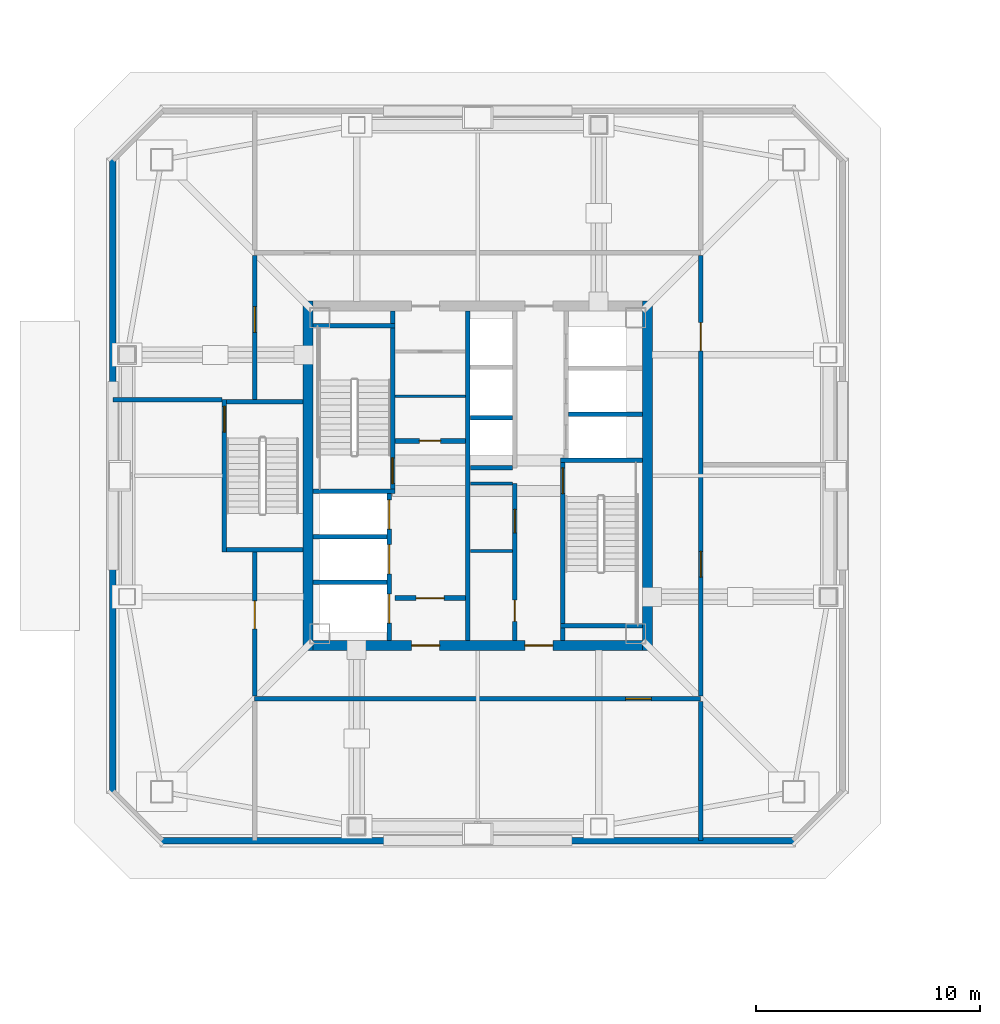
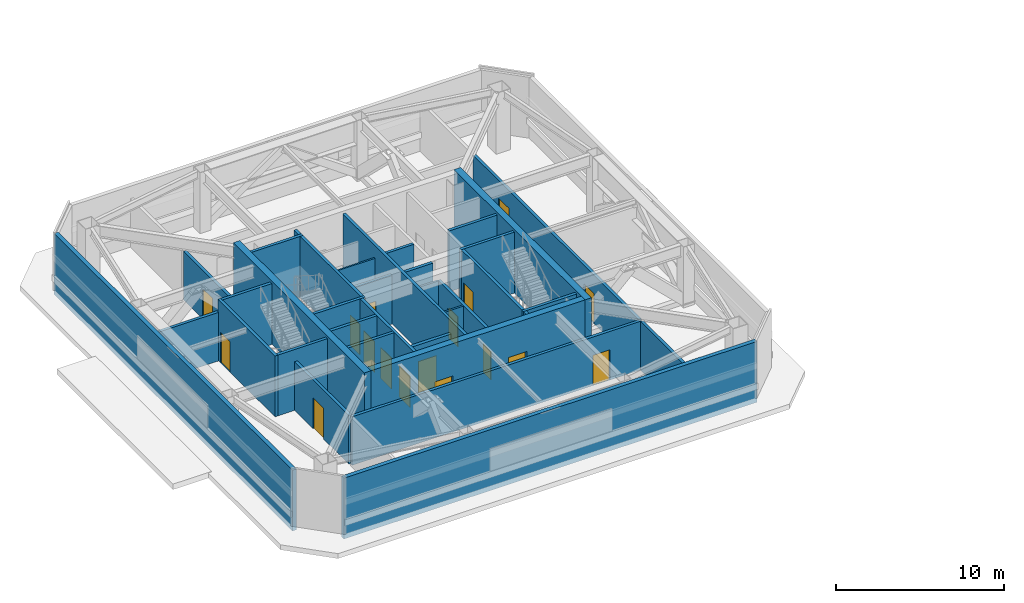
# One storey, part 5 of 15: 33 walls, 17 doors, 17 openings.
"""IFC4 building model written with IfcOpenShell, lengths in metres."""

from ifc_helpers import new_model, si_unit, direction, frame, frame_2d, origin, place, context, subcontext, project, spatial, rectangle, extrude, material, layer, layer_set, type_object, element, fill, save


model = new_model("IFC4")

# Units and contexts
model_context = context("Model", 3, precision=1e-05, world=origin(), true_north=direction((0.0, 1.0)))
body_context = subcontext(model_context, "Body", "Model", "MODEL_VIEW")
ifc_project = project(units=[si_unit("LENGTHUNIT", "METRE"), si_unit("AREAUNIT", "SQUARE_METRE"), si_unit("VOLUMEUNIT", "CUBIC_METRE"), si_unit("PLANEANGLEUNIT", "RADIAN"), si_unit("MASSUNIT", "GRAM", prefix="KILO")], contexts=[model_context])

# Site, building, storey
site_placement = place(None, origin())
site = spatial("IfcSite", under=ifc_project, at=site_placement, CompositionType="ELEMENT")
building_placement = place(site_placement, origin())
building = spatial("IfcBuilding", under=site, at=building_placement, Name="Tashvorn Skyway Center", CompositionType="ELEMENT")
storey_placement = place(building_placement, frame((0.0, 0.0, 199.60009765625)))
storey = spatial("IfcBuildingStorey", under=building, at=storey_placement, Name="L54", CompositionType="ELEMENT", Elevation=199.60009765625)

# Walls
ifc_material_1 = material(Name="Concrete C50/60", Category="concrete")
ifc_layer_1 = layer(ifc_material_1, 0.449951171875)
ifc_layer_set_1 = layer_set([ifc_layer_1], Name="Concrete C50/60")
wall_type_1 = type_object("IfcWallType", Name="WALL-CORE-450", PredefinedType="SHEAR", material=ifc_layer_set_1)
for number, where, z_axis, x_axis, name in (
    (1, (34.425048828125, 24.199951171875, 0.0), (0.0, 0.0, 1.0), (0.0, 1.0, 0.0), "Tower 1 L54 West Core Shear Wall"),
    (2, (49.574951171875, 39.800048828125, 0.0), (0.0, 0.0, 1.0), (0.0, -1.0, 0.0), "Tower 1 L54 East Core Shear Wall"),
):
    element("IfcWall", number, at=place(storey_placement, frame(where, z_axis=z_axis, x_axis=x_axis)), inside=storey, type_object=wall_type_1, Name=name, PredefinedType="SHEAR", context=body_context, shape_type="SweptSolid", body=[
        extrude(rectangle(XDim=15.60009765625, YDim=0.449951171875, at=frame_2d((7.800048828125, 0.0))), origin(), (0.0, 0.0, 1.0), 4.599853515625),
    ])

# Wall, openings, doors
wall_1_placement = place(storey_placement, frame((49.35009765625, 24.425048828125, 0.0), z_axis=(0.0, 0.0, 1.0), x_axis=(-1.0, 0.0, 0.0)))
wall_1 = element("IfcWall", 3, at=wall_1_placement, inside=storey, type_object=wall_type_1, Name="Tower 1 L54 South Core Shear Wall", PredefinedType="SHEAR", context=body_context, shape_type="SweptSolid", body=[
    extrude(rectangle(XDim=14.7001953125, YDim=0.449951171875, at=frame_2d((7.35009765625, 0.0))), origin(), (0.0, 0.0, 1.0), 4.599853515625),
])
opening_1_placement = place(wall_1_placement, frame((9.050048828125, 0.0, 0.0)))
opening_1 = element("IfcOpeningElement", 4, at=opening_1_placement, cuts=wall_1, Name="Opening D-FFL-1250", PredefinedType="OPENING", context=body_context, shape_type="SweptSolid", body=[
    extrude(rectangle(XDim=1.25, YDim=2.25, at=frame_2d((0.625, 1.125))), frame((0.0, 0.23486328125, 0.0), z_axis=(0.0, -1.0, 0.0), x_axis=(1.0, 0.0, 0.0)), (0.0, 0.0, 1.0), 0.469970703125),
])
opening_2_placement = place(wall_1_placement, frame((4.0, 0.0, 0.0)))
opening_2 = element("IfcOpeningElement", 5, at=opening_2_placement, cuts=wall_1, Name="Opening D-FFL-1250", PredefinedType="OPENING", context=body_context, shape_type="SweptSolid", body=[
    extrude(rectangle(XDim=1.25, YDim=2.25, at=frame_2d((0.625, 1.125))), frame((0.0, 0.23486328125, 0.0), z_axis=(0.0, -1.0, 0.0), x_axis=(1.0, 0.0, 0.0)), (0.0, 0.0, 1.0), 0.469970703125),
])
ifc_material_2 = material(Name="Hollow galvanized steel fire door assembly", Category="steel")
door_type_1 = type_object("IfcDoorType", Name="DOOR-FFL-1250", OperationType="NOTDEFINED", PredefinedType="DOOR", material=ifc_material_2)
door_1_placement = place(opening_1_placement, origin())
door_1 = element("IfcDoor", 6, at=door_1_placement, inside=storey, type_object=door_type_1, Name="Tower 1 L54 Core South Firefighting Exit Door", OperationType="SINGLE_SWING_LEFT", OverallHeight=2.25, OverallWidth=1.25, PredefinedType="DOOR", context=body_context, shape_type="SweptSolid", body=[
    extrude(rectangle(XDim=1.25, YDim=2.25, at=frame_2d((0.625, 1.125))), frame((0.0, 0.02490234375, 0.0), z_axis=(0.0, -1.0, 0.0), x_axis=(1.0, 0.0, 0.0)), (0.0, 0.0, 1.0), 0.050048828125),
])
fill(opening_1, door_1)
door_2_placement = place(opening_2_placement, origin())
door_2 = element("IfcDoor", 7, at=door_2_placement, inside=storey, type_object=door_type_1, Name="Tower 1 L54 Core South Lift Lobby Door", OperationType="SINGLE_SWING_RIGHT", OverallHeight=2.25, OverallWidth=1.25, PredefinedType="DOOR", context=body_context, shape_type="SweptSolid", body=[
    extrude(rectangle(XDim=1.25, YDim=2.25, at=frame_2d((0.625, 1.125))), frame((0.0, 0.02490234375, 0.0), z_axis=(0.0, -1.0, 0.0), x_axis=(1.0, 0.0, 0.0)), (0.0, 0.0, 1.0), 0.050048828125),
])
fill(opening_2, door_2)

# Walls
ifc_material_3 = material(Name="Precast concrete C40/50", Category="concrete")
ifc_layer_2 = layer(ifc_material_3, 0.280029296875)
ifc_layer_set_2 = layer_set([ifc_layer_2], Name="Precast concrete C40/50")
wall_type_2 = type_object("IfcWallType", Name="WALL-EXT-280", PredefinedType="SOLIDWALL", material=ifc_layer_set_2)
for number, where, z_axis, x_axis, name in (
    (8, (56.179931640625, 15.719970703125, 0.0), (0.0, 0.0, 1.0), (-1.0, 0.0, 0.0), "Tower 1 L54 South Mechanical Belt Wall"),
    (9, (25.719970703125, 17.820068359375, 0.0), (0.0, 0.0, 1.0), (0.0, 1.0, 0.0), "Tower 1 L54 West Mechanical Belt Wall"),
):
    element("IfcWall", number, at=place(storey_placement, frame(where, z_axis=z_axis, x_axis=x_axis)), inside=storey, type_object=wall_type_2, Name=name, PredefinedType="SOLIDWALL", context=body_context, shape_type="SweptSolid", body=[
        extrude(rectangle(XDim=28.35986328125, YDim=0.280029296875, at=frame_2d((14.179931640625, 0.0))), origin(), (0.0, 0.0, 1.0), 4.419921875),
    ])

# Wall, opening, door
ifc_material_4 = material(Name="Concrete C40/50", Category="concrete")
ifc_layer_3 = layer(ifc_material_4, 0.219970703125)
ifc_layer_set_3 = layer_set([ifc_layer_3], Name="Concrete C40/50")
wall_type_3 = type_object("IfcWallType", Name="WALL-FFL-220", PredefinedType="SOLIDWALL", material=ifc_layer_set_3)
wall_2_placement = place(storey_placement, frame((38.300048828125, 33.56005859375, 0.0), z_axis=(0.0, 0.0, 1.0), x_axis=(1.0, 0.0, 0.0)))
wall_2 = element("IfcWall", 10, at=wall_2_placement, inside=storey, type_object=wall_type_3, Name="Tower 1 L54 Firefighting Lobby North Wall", PredefinedType="SOLIDWALL", context=body_context, shape_type="SweptSolid", body=[
    extrude(rectangle(XDim=3.14990234375, YDim=0.219970703125, at=frame_2d((1.574951171875, 0.0))), origin(), (0.0, 0.0, 1.0), 3.531005859375),
])
opening_3_placement = place(wall_2_placement, frame((1.10009765625, 0.0, 0.0)))
opening_3 = element("IfcOpeningElement", 11, at=opening_3_placement, cuts=wall_2, Name="Opening D-RT-950", PredefinedType="OPENING", context=body_context, shape_type="SweptSolid", body=[
    extrude(rectangle(XDim=0.949951171875, YDim=2.050048828125, at=frame_2d((0.47509765625, 1.02490234375))), frame((0.0, 0.119873046875, 0.0), z_axis=(0.0, -1.0, 0.0), x_axis=(1.0, 0.0, 0.0)), (0.0, 0.0, 1.0), 0.239990234375),
])
door_type_2 = type_object("IfcDoorType", Name="DOOR-RATED-950", OperationType="NOTDEFINED", PredefinedType="DOOR", material=ifc_material_2)
door_3_placement = place(opening_3_placement, origin())
door_3 = element("IfcDoor", 12, at=door_3_placement, inside=storey, type_object=door_type_2, Name="Tower 1 L54 Core Linen Store Door", OperationType="SINGLE_SWING_LEFT", OverallHeight=2.050048828125, OverallWidth=0.949951171875, PredefinedType="DOOR", context=body_context, shape_type="SweptSolid", body=[
    extrude(rectangle(XDim=0.949951171875, YDim=2.050048828125, at=frame_2d((0.47509765625, 1.02490234375))), frame((0.0, 0.02490234375, 0.0), z_axis=(0.0, -1.0, 0.0), x_axis=(1.0, 0.0, 0.0)), (0.0, 0.0, 1.0), 0.050048828125),
])
fill(opening_3, door_3)

wall_3_placement = place(storey_placement, frame((38.300048828125, 26.5400390625, 0.0), z_axis=(0.0, 0.0, 1.0), x_axis=(1.0, 0.0, 0.0)))
wall_3 = element("IfcWall", 13, at=wall_3_placement, inside=storey, type_object=wall_type_3, Name="Tower 1 L54 Firefighting Lobby South Wall", PredefinedType="SOLIDWALL", context=body_context, shape_type="SweptSolid", body=[
    extrude(rectangle(XDim=3.14990234375, YDim=0.219970703125, at=frame_2d((1.574951171875, 0.0))), origin(), (0.0, 0.0, 1.0), 3.531005859375),
])
opening_4_placement = place(wall_3_placement, frame((0.949951171875, 0.0, 0.0)))
opening_4 = element("IfcOpeningElement", 14, at=opening_4_placement, cuts=wall_3, Name="Opening D-FFL-1250", PredefinedType="OPENING", context=body_context, shape_type="SweptSolid", body=[
    extrude(rectangle(XDim=1.25, YDim=2.25, at=frame_2d((0.625, 1.125))), frame((0.0, 0.119873046875, 0.0), z_axis=(0.0, -1.0, 0.0), x_axis=(1.0, 0.0, 0.0)), (0.0, 0.0, 1.0), 0.239990234375),
])
door_4_placement = place(opening_4_placement, origin())
door_4 = element("IfcDoor", 15, at=door_4_placement, inside=storey, type_object=door_type_1, Name="Tower 1 L54 Firefighting Lobby Egress Door", OperationType="SINGLE_SWING_LEFT", OverallHeight=2.25, OverallWidth=1.25, PredefinedType="DOOR", context=body_context, shape_type="SweptSolid", body=[
    extrude(rectangle(XDim=1.25, YDim=2.25, at=frame_2d((0.625, 1.125))), frame((0.0, 0.02490234375, 0.0), z_axis=(0.0, -1.0, 0.0), x_axis=(1.0, 0.0, 0.0)), (0.0, 0.0, 1.0), 0.050048828125),
])
fill(opening_4, door_4)

# Walls
ifc_material_5 = material(Name="Gypsum board on cold-formed steel stud framing", Category="steel")
ifc_layer_4 = layer(ifc_material_5, 0.110107421875)
ifc_layer_set_4 = layer_set([ifc_layer_4], Name="Gypsum board on cold-formed steel stud framing")
wall_type_4 = type_object("IfcWallType", Name="WALL-RATED-110", PredefinedType="PARTITIONING", material=ifc_layer_set_4)
wall_4_placement = place(storey_placement, frame((38.300048828125, 35.550048828125, 0.0), z_axis=(0.0, 0.0, 1.0), x_axis=(1.0, 0.0, 0.0)))
element("IfcWall", 16, at=wall_4_placement, inside=storey, type_object=wall_type_4, Name="Tower 1 L54 Core Transverse Wall", PredefinedType="PARTITIONING", context=body_context, shape_type="SweptSolid", body=[
    extrude(rectangle(XDim=3.14990234375, YDim=0.110107421875, at=frame_2d((1.574951171875, 0.0))), origin(), (0.0, 0.0, 1.0), 3.531005859375),
])
ifc_layer_5 = layer(ifc_material_5, 0.135009765625)
ifc_layer_set_5 = layer_set([ifc_layer_5], Name="Gypsum board on cold-formed steel stud framing")
wall_type_5 = type_object("IfcWallType", Name="WALL-RATED-135", PredefinedType="PARTITIONING", material=ifc_layer_set_5)
for number, where, z_axis, x_axis, name in (
    (17, (41.669921875, 31.64990234375, 0.0), (0.0, 0.0, 1.0), (1.0, 0.0, 0.0), "Tower 1 L54 Core Room Partition"),
    (18, (41.669921875, 28.64990234375, 0.0), (0.0, 0.0, 1.0), (1.0, 0.0, 0.0), "Tower 1 L54 Freed Core Partition"),
):
    element("IfcWall", number, at=place(storey_placement, frame(where, z_axis=z_axis, x_axis=x_axis)), inside=storey, type_object=wall_type_5, Name=name, PredefinedType="PARTITIONING", context=body_context, shape_type="SweptSolid", body=[
        extrude(rectangle(XDim=1.880126953125, YDim=0.135009765625, at=frame_2d((0.93994140625, 0.0))), origin(), (0.0, 0.0, 1.0), 3.531005859375),
    ])
ifc_layer_6 = layer(ifc_material_4, 0.199951171875)
ifc_layer_set_6 = layer_set([ifc_layer_6], Name="Concrete C40/50")
wall_type_6 = type_object("IfcWallType", Name="WALL-SHAFT-200", PredefinedType="SOLIDWALL", material=ifc_layer_set_6)
for number, where, z_axis, x_axis, name in (
    (19, (34.64990234375, 27.25, 0.0), (0.0, 0.0, 1.0), (1.0, 0.0, 0.0), "Tower 1 L54 FSAE Shaft Divider"),
    (20, (34.64990234375, 29.280029296875, 0.0), (0.0, 0.0, 1.0), (1.0, 0.0, 0.0), "Tower 1 L54 FSAE Shaft Divider"),
    (21, (46.050048828125, 34.75, 0.0), (0.0, 0.0, 1.0), (1.0, 0.0, 0.0), "Tower 1 L54 High-Rise Shaft Divider"),
):
    element("IfcWall", number, at=place(storey_placement, frame(where, z_axis=z_axis, x_axis=x_axis)), inside=storey, type_object=wall_type_6, Name=name, PredefinedType="SOLIDWALL", context=body_context, shape_type="SweptSolid", body=[
        extrude(rectangle(XDim=3.300048828125, YDim=0.199951171875, at=frame_2d((1.64990234375, 0.0))), origin(), (0.0, 0.0, 1.0), 4.419921875),
    ])

# Wall, openings, doors
wall_5_placement = place(storey_placement, frame((43.64990234375, 24.64990234375, 0.0), z_axis=(0.0, 0.0, 1.0), x_axis=(0.0, 1.0, 0.0)))
wall_5 = element("IfcWall", 22, at=wall_5_placement, inside=storey, type_object=wall_type_6, Name="Tower 1 L54 Low-Rise Core Wall", PredefinedType="SOLIDWALL", context=body_context, shape_type="SweptSolid", body=[
    extrude(rectangle(XDim=7.0, YDim=0.199951171875, at=frame_2d((3.5, 0.0))), origin(), (0.0, 0.0, 1.0), 3.531005859375),
])
opening_5_placement = place(wall_5_placement, frame((0.85009765625, 0.0, 0.0)))
opening_5 = element("IfcOpeningElement", 23, at=opening_5_placement, cuts=wall_5, Name="Opening D-RT-950", PredefinedType="OPENING", context=body_context, shape_type="SweptSolid", body=[
    extrude(rectangle(XDim=0.949951171875, YDim=2.050048828125, at=frame_2d((0.47509765625, 1.02490234375))), frame((0.0, 0.10986328125, 0.0), z_axis=(0.0, -1.0, 0.0), x_axis=(1.0, 0.0, 0.0)), (0.0, 0.0, 1.0), 0.219970703125),
])
opening_6_placement = place(wall_5_placement, frame((4.800048828125, 0.0, 0.0)))
opening_6 = element("IfcOpeningElement", 24, at=opening_6_placement, cuts=wall_5, Name="Opening D-RT-1050", PredefinedType="OPENING", context=body_context, shape_type="SweptSolid", body=[
    extrude(rectangle(XDim=1.050048828125, YDim=2.199951171875, at=frame_2d((0.52490234375, 1.10009765625))), frame((0.0, 0.10986328125, 0.0), z_axis=(0.0, -1.0, 0.0), x_axis=(1.0, 0.0, 0.0)), (0.0, 0.0, 1.0), 0.219970703125),
])
door_type_3 = type_object("IfcDoorType", Name="DOOR-RATED-1050", OperationType="NOTDEFINED", PredefinedType="DOOR", material=ifc_material_2)
door_5_placement = place(opening_6_placement, origin())
door_5 = element("IfcDoor", 25, at=door_5_placement, inside=storey, type_object=door_type_3, Name="Tower 1 L54 Freed Core Room Door", OperationType="SINGLE_SWING_RIGHT", OverallHeight=2.199951171875, OverallWidth=1.050048828125, PredefinedType="DOOR", context=body_context, shape_type="SweptSolid", body=[
    extrude(rectangle(XDim=1.050048828125, YDim=2.199951171875, at=frame_2d((0.52490234375, 1.10009765625))), frame((0.0, 0.02490234375, 0.0), z_axis=(0.0, -1.0, 0.0), x_axis=(1.0, 0.0, 0.0)), (0.0, 0.0, 1.0), 0.050048828125),
])
fill(opening_6, door_5)
door_6_placement = place(opening_5_placement, origin())
door_6 = element("IfcDoor", 26, at=door_6_placement, inside=storey, type_object=door_type_2, Name="Tower 1 L54 Core Print Room Door", OperationType="SINGLE_SWING_LEFT", OverallHeight=2.050048828125, OverallWidth=0.949951171875, PredefinedType="DOOR", context=body_context, shape_type="SweptSolid", body=[
    extrude(rectangle(XDim=0.949951171875, YDim=2.050048828125, at=frame_2d((0.47509765625, 1.02490234375))), frame((0.0, 0.02490234375, 0.0), z_axis=(0.0, -1.0, 0.0), x_axis=(1.0, 0.0, 0.0)), (0.0, 0.0, 1.0), 0.050048828125),
])
fill(opening_5, door_6)

# Walls
for number, where, z_axis, x_axis, name in (
    (27, (41.669921875, 32.35009765625, 0.0), (0.0, 0.0, 1.0), (1.0, 0.0, 0.0), "Tower 1 L54 Mid-Rise Shaft Divider"),
    (28, (41.669921875, 34.60009765625, 0.0), (0.0, 0.0, 1.0), (1.0, 0.0, 0.0), "Tower 1 L54 Mid-Rise Shaft Divider"),
):
    element("IfcWall", number, at=place(storey_placement, frame(where, z_axis=z_axis, x_axis=x_axis)), inside=storey, type_object=wall_type_6, Name=name, PredefinedType="SOLIDWALL", context=body_context, shape_type="SweptSolid", body=[
        extrude(rectangle(XDim=1.880126953125, YDim=0.199951171875, at=frame_2d((0.93994140625, 0.0))), origin(), (0.0, 0.0, 1.0), 4.419921875),
    ])

# Wall, opening, door
wall_6_placement = place(storey_placement, frame((51.949951171875, 22.050048828125, 0.0), z_axis=(0.0, 0.0, 1.0), x_axis=(-1.0, 0.0, 0.0)))
wall_6 = element("IfcWall", 29, at=wall_6_placement, inside=storey, type_object=wall_type_6, Name="Tower 1 L54 Plant Corridor South Wall", PredefinedType="SOLIDWALL", context=body_context, shape_type="SweptSolid", body=[
    extrude(rectangle(XDim=19.89990234375, YDim=0.199951171875, at=frame_2d((9.949951171875, 0.0))), origin(), (0.0, 0.0, 1.0), 3.531005859375),
])
opening_7_placement = place(wall_6_placement, frame((2.199951171875, 0.0, 0.0)))
opening_7 = element("IfcOpeningElement", 30, at=opening_7_placement, cuts=wall_6, Name="Opening D-ST-1150", PredefinedType="OPENING", context=body_context, shape_type="SweptSolid", body=[
    extrude(rectangle(XDim=1.14990234375, YDim=2.199951171875, at=frame_2d((0.574951171875, 1.10009765625))), frame((0.0, 0.10986328125, 0.0), z_axis=(0.0, -1.0, 0.0), x_axis=(1.0, 0.0, 0.0)), (0.0, 0.0, 1.0), 0.219970703125),
])
door_type_4 = type_object("IfcDoorType", Name="DOOR-STAIR-1150", OperationType="NOTDEFINED", PredefinedType="DOOR", material=ifc_material_2)
door_7_placement = place(opening_7_placement, origin())
door_7 = element("IfcDoor", 31, at=door_7_placement, inside=storey, type_object=door_type_4, Name="Tower 1 L54 Fan Plant Door", OperationType="SINGLE_SWING_RIGHT", OverallHeight=2.199951171875, OverallWidth=1.14990234375, PredefinedType="DOOR", context=body_context, shape_type="SweptSolid", body=[
    extrude(rectangle(XDim=1.14990234375, YDim=2.199951171875, at=frame_2d((0.574951171875, 1.10009765625))), frame((0.0, 0.02490234375, 0.0), z_axis=(0.0, -1.0, 0.0), x_axis=(1.0, 0.0, 0.0)), (0.0, 0.0, 1.0), 0.050048828125),
])
fill(opening_7, door_7)

# Wall, openings, doors
wall_7_placement = place(storey_placement, frame((51.949951171875, 41.830078125, 0.0), z_axis=(0.0, 0.0, 1.0), x_axis=(0.0, -1.0, 0.0)))
wall_7 = element("IfcWall", 32, at=wall_7_placement, inside=storey, type_object=wall_type_6, Name="Tower 1 L54 Plant Corridor East Wall", PredefinedType="SOLIDWALL", context=body_context, shape_type="SweptSolid", body=[
    extrude(rectangle(XDim=19.66015625, YDim=0.199951171875, at=frame_2d((9.830078125, 0.0))), origin(), (0.0, 0.0, 1.0), 3.531005859375),
])
opening_8_placement = place(wall_7_placement, frame((3.0, 0.0, 0.0)))
opening_8 = element("IfcOpeningElement", 33, at=opening_8_placement, cuts=wall_7, Name="Opening D-FFL-1250", PredefinedType="OPENING", context=body_context, shape_type="SweptSolid", body=[
    extrude(rectangle(XDim=1.25, YDim=2.25, at=frame_2d((0.625, 1.125))), frame((0.0, 0.10986328125, 0.0), z_axis=(0.0, -1.0, 0.0), x_axis=(1.0, 0.0, 0.0)), (0.0, 0.0, 1.0), 0.219970703125),
])
opening_9_placement = place(wall_7_placement, frame((13.199951171875, 0.0, 0.0)))
opening_9 = element("IfcOpeningElement", 34, at=opening_9_placement, cuts=wall_7, Name="Opening D-ST-1150", PredefinedType="OPENING", context=body_context, shape_type="SweptSolid", body=[
    extrude(rectangle(XDim=1.14990234375, YDim=2.199951171875, at=frame_2d((0.574951171875, 1.10009765625))), frame((0.0, 0.10986328125, 0.0), z_axis=(0.0, -1.0, 0.0), x_axis=(1.0, 0.0, 0.0)), (0.0, 0.0, 1.0), 0.219970703125),
])
door_8_placement = place(opening_8_placement, origin())
door_8 = element("IfcDoor", 35, at=door_8_placement, inside=storey, type_object=door_type_1, Name="Tower 1 L54 East Refuge Area Door", OperationType="SINGLE_SWING_LEFT", OverallHeight=2.25, OverallWidth=1.25, PredefinedType="DOOR", context=body_context, shape_type="SweptSolid", body=[
    extrude(rectangle(XDim=1.25, YDim=2.25, at=frame_2d((0.625, 1.125))), frame((0.0, 0.02490234375, 0.0), z_axis=(0.0, -1.0, 0.0), x_axis=(1.0, 0.0, 0.0)), (0.0, 0.0, 1.0), 0.050048828125),
])
fill(opening_8, door_8)
door_9_placement = place(opening_9_placement, origin())
door_9 = element("IfcDoor", 36, at=door_9_placement, inside=storey, type_object=door_type_4, Name="Tower 1 L54 Switchgear Plant Door", OperationType="SINGLE_SWING_RIGHT", OverallHeight=2.199951171875, OverallWidth=1.14990234375, PredefinedType="DOOR", context=body_context, shape_type="SweptSolid", body=[
    extrude(rectangle(XDim=1.14990234375, YDim=2.199951171875, at=frame_2d((0.574951171875, 1.10009765625))), frame((0.0, 0.02490234375, 0.0), z_axis=(0.0, -1.0, 0.0), x_axis=(1.0, 0.0, 0.0)), (0.0, 0.0, 1.0), 0.050048828125),
])
fill(opening_9, door_9)

# Wall, opening, door
wall_8_placement = place(storey_placement, frame((32.050048828125, 22.169921875, 0.0), z_axis=(0.0, 0.0, 1.0), x_axis=(0.0, 1.0, 0.0)))
wall_8 = element("IfcWall", 37, at=wall_8_placement, inside=storey, type_object=wall_type_6, Name="Tower 1 L54 Plant Corridor West Wall", PredefinedType="SOLIDWALL", context=body_context, shape_type="SweptSolid", body=[
    extrude(rectangle(XDim=6.43017578125, YDim=0.199951171875, at=frame_2d((3.215087890625, 0.0))), origin(), (0.0, 0.0, 1.0), 3.531005859375),
])
opening_10_placement = place(wall_8_placement, frame((3.0, 0.0, 0.0)))
opening_10 = element("IfcOpeningElement", 38, at=opening_10_placement, cuts=wall_8, Name="Opening D-FFL-1250", PredefinedType="OPENING", context=body_context, shape_type="SweptSolid", body=[
    extrude(rectangle(XDim=1.25, YDim=2.25, at=frame_2d((0.625, 1.125))), frame((0.0, 0.10986328125, 0.0), z_axis=(0.0, -1.0, 0.0), x_axis=(1.0, 0.0, 0.0)), (0.0, 0.0, 1.0), 0.219970703125),
])
door_10_placement = place(opening_10_placement, origin())
door_10 = element("IfcDoor", 39, at=door_10_placement, inside=storey, type_object=door_type_1, Name="Tower 1 L54 West Refuge Area Door", OperationType="SINGLE_SWING_LEFT", OverallHeight=2.25, OverallWidth=1.25, PredefinedType="DOOR", context=body_context, shape_type="SweptSolid", body=[
    extrude(rectangle(XDim=1.25, YDim=2.25, at=frame_2d((0.625, 1.125))), frame((0.0, 0.02490234375, 0.0), z_axis=(0.0, -1.0, 0.0), x_axis=(1.0, 0.0, 0.0)), (0.0, 0.0, 1.0), 0.050048828125),
])
fill(opening_10, door_10)

wall_9_placement = place(storey_placement, frame((32.050048828125, 35.39990234375, 0.0), z_axis=(0.0, 0.0, 1.0), x_axis=(0.0, 1.0, 0.0)))
wall_9 = element("IfcWall", 40, at=wall_9_placement, inside=storey, type_object=wall_type_6, Name="Tower 1 L54 Plant Corridor West Wall North", PredefinedType="SOLIDWALL", context=body_context, shape_type="SweptSolid", body=[
    extrude(rectangle(XDim=6.43017578125, YDim=0.199951171875, at=frame_2d((3.215087890625, 0.0))), origin(), (0.0, 0.0, 1.0), 3.531005859375),
])
opening_11_placement = place(wall_9_placement, frame((3.0, 0.0, 0.0)))
opening_11 = element("IfcOpeningElement", 41, at=opening_11_placement, cuts=wall_9, Name="Opening D-ST-1150", PredefinedType="OPENING", context=body_context, shape_type="SweptSolid", body=[
    extrude(rectangle(XDim=1.14990234375, YDim=2.199951171875, at=frame_2d((0.574951171875, 1.10009765625))), frame((0.0, 0.10986328125, 0.0), z_axis=(0.0, -1.0, 0.0), x_axis=(1.0, 0.0, 0.0)), (0.0, 0.0, 1.0), 0.219970703125),
])
door_11_placement = place(opening_11_placement, origin())
door_11 = element("IfcDoor", 42, at=door_11_placement, inside=storey, type_object=door_type_4, Name="Tower 1 L54 Pump Plant Door", OperationType="SINGLE_SWING_RIGHT", OverallHeight=2.199951171875, OverallWidth=1.14990234375, PredefinedType="DOOR", context=body_context, shape_type="SweptSolid", body=[
    extrude(rectangle(XDim=1.14990234375, YDim=2.199951171875, at=frame_2d((0.574951171875, 1.10009765625))), frame((0.0, 0.02490234375, 0.0), z_axis=(0.0, -1.0, 0.0), x_axis=(1.0, 0.0, 0.0)), (0.0, 0.0, 1.0), 0.050048828125),
])
fill(opening_11, door_11)

# Walls
wall_10_placement = place(storey_placement, frame((51.949951171875, 21.929931640625, 0.0), z_axis=(0.0, 0.0, 1.0), x_axis=(0.0, -1.0, 0.0)))
element("IfcWall", 43, at=wall_10_placement, inside=storey, type_object=wall_type_6, Name="Tower 1 L54 Plant Radial SE", PredefinedType="SOLIDWALL", context=body_context, shape_type="SweptSolid", body=[
    extrude(rectangle(XDim=6.2099609375, YDim=0.199951171875, at=frame_2d((3.10498046875, 0.0))), origin(), (0.0, 0.0, 1.0), 3.531005859375),
])
wall_11_placement = place(storey_placement, frame((25.719970703125, 35.39990234375, 0.0), z_axis=(0.0, 0.0, 1.0), x_axis=(1.0, 0.0, 0.0)))
element("IfcWall", 44, at=wall_11_placement, inside=storey, type_object=wall_type_6, Name="Tower 1 L54 Refuge West Fire Wall", PredefinedType="SOLIDWALL", context=body_context, shape_type="SweptSolid", body=[
    extrude(rectangle(XDim=4.880126953125, YDim=0.199951171875, at=frame_2d((2.43994140625, 0.0))), origin(), (0.0, 0.0, 1.0), 3.531005859375),
])

# Wall, opening, door
ifc_layer_7 = layer(ifc_material_4, 0.199951171875)
ifc_layer_set_7 = layer_set([ifc_layer_7], Name="Concrete C40/50")
wall_type_7 = type_object("IfcWallType", Name="WALL-STSHF-200", PredefinedType="SHEAR", material=ifc_layer_set_7)
wall_12_placement = place(storey_placement, frame((38.199951171875, 31.199951171875, 0.0), z_axis=(0.0, 0.0, 1.0), x_axis=(0.0, 1.0, 0.0)))
wall_12 = element("IfcWall", 45, at=wall_12_placement, inside=storey, type_object=wall_type_7, Name="Tower 1 L54 Stair 1 Enclosure Wall", PredefinedType="SHEAR", context=body_context, shape_type="SweptSolid", body=[
    extrude(rectangle(XDim=8.150146484375, YDim=0.199951171875, at=frame_2d((4.0751953125, 0.0))), origin(), (0.0, 0.0, 1.0), 4.419921875),
])
opening_12_placement = place(wall_12_placement, frame((0.449951171875, 0.0, 0.0)))
opening_12 = element("IfcOpeningElement", 46, at=opening_12_placement, cuts=wall_12, Name="Opening D-ST-1150", PredefinedType="OPENING", context=body_context, shape_type="SweptSolid", body=[
    extrude(rectangle(XDim=1.14990234375, YDim=2.199951171875, at=frame_2d((0.574951171875, 1.10009765625))), frame((0.0, 0.10986328125, 0.0), z_axis=(0.0, -1.0, 0.0), x_axis=(1.0, 0.0, 0.0)), (0.0, 0.0, 1.0), 0.219970703125),
])
door_12_placement = place(opening_12_placement, origin())
door_12 = element("IfcDoor", 47, at=door_12_placement, inside=storey, type_object=door_type_4, Name="Tower 1 L54 Exit Stair 1 Door", OperationType="SINGLE_SWING_RIGHT", OverallHeight=2.199951171875, OverallWidth=1.14990234375, PredefinedType="DOOR", context=body_context, shape_type="SweptSolid", body=[
    extrude(rectangle(XDim=1.14990234375, YDim=2.199951171875, at=frame_2d((0.574951171875, 1.10009765625))), frame((0.0, 0.02490234375, 0.0), z_axis=(0.0, -1.0, 0.0), x_axis=(1.0, 0.0, 0.0)), (0.0, 0.0, 1.0), 0.050048828125),
])
fill(opening_12, door_12)

# Walls
for number, where, z_axis, x_axis, name in (
    (48, (34.64990234375, 31.300048828125, 0.0), (0.0, 0.0, 1.0), (1.0, 0.0, 0.0), "Tower 1 L54 Stair 1 South Wall"),
    (49, (34.64990234375, 38.699951171875, 0.0), (0.0, 0.0, 1.0), (1.0, 0.0, 0.0), "Tower 1 L54 Stair 1 North Wall"),
):
    element("IfcWall", number, at=place(storey_placement, frame(where, z_axis=z_axis, x_axis=x_axis)), inside=storey, type_object=wall_type_7, Name=name, PredefinedType="SHEAR", context=body_context, shape_type="SweptSolid", body=[
        extrude(rectangle(XDim=3.650146484375, YDim=0.199951171875, at=frame_2d((1.8251953125, 0.0))), origin(), (0.0, 0.0, 1.0), 4.419921875),
    ])

# Wall, opening, door
wall_13_placement = place(storey_placement, frame((45.800048828125, 32.800048828125, 0.0), z_axis=(0.0, 0.0, 1.0), x_axis=(0.0, -1.0, 0.0)))
wall_13 = element("IfcWall", 50, at=wall_13_placement, inside=storey, type_object=wall_type_7, Name="Tower 1 L54 Stair 2 Enclosure Wall", PredefinedType="SHEAR", context=body_context, shape_type="SweptSolid", body=[
    extrude(rectangle(XDim=8.150146484375, YDim=0.199951171875, at=frame_2d((4.0751953125, 0.0))), origin(), (0.0, 0.0, 1.0), 4.419921875),
])
opening_13_placement = place(wall_13_placement, frame((0.449951171875, 0.0, 0.0)))
opening_13 = element("IfcOpeningElement", 51, at=opening_13_placement, cuts=wall_13, Name="Opening D-ST-1150", PredefinedType="OPENING", context=body_context, shape_type="SweptSolid", body=[
    extrude(rectangle(XDim=1.14990234375, YDim=2.199951171875, at=frame_2d((0.574951171875, 1.10009765625))), frame((0.0, 0.10986328125, 0.0), z_axis=(0.0, -1.0, 0.0), x_axis=(1.0, 0.0, 0.0)), (0.0, 0.0, 1.0), 0.219970703125),
])
door_13_placement = place(opening_13_placement, origin())
door_13 = element("IfcDoor", 52, at=door_13_placement, inside=storey, type_object=door_type_4, Name="Tower 1 L54 Exit Stair 2 Door", OperationType="SINGLE_SWING_RIGHT", OverallHeight=2.199951171875, OverallWidth=1.14990234375, PredefinedType="DOOR", context=body_context, shape_type="SweptSolid", body=[
    extrude(rectangle(XDim=1.14990234375, YDim=2.199951171875, at=frame_2d((0.574951171875, 1.10009765625))), frame((0.0, 0.02490234375, 0.0), z_axis=(0.0, -1.0, 0.0), x_axis=(1.0, 0.0, 0.0)), (0.0, 0.0, 1.0), 0.050048828125),
])
fill(opening_13, door_13)

# Walls
for number, where, z_axis, x_axis, name in (
    (53, (45.699951171875, 32.699951171875, 0.0), (0.0, 0.0, 1.0), (1.0, 0.0, 0.0), "Tower 1 L54 Stair 2 North Wall"),
    (54, (45.699951171875, 25.300048828125, 0.0), (0.0, 0.0, 1.0), (1.0, 0.0, 0.0), "Tower 1 L54 Stair 2 South Wall"),
):
    element("IfcWall", number, at=place(storey_placement, frame(where, z_axis=z_axis, x_axis=x_axis)), inside=storey, type_object=wall_type_7, Name=name, PredefinedType="SHEAR", context=body_context, shape_type="SweptSolid", body=[
        extrude(rectangle(XDim=3.650146484375, YDim=0.199951171875, at=frame_2d((1.8251953125, 0.0))), origin(), (0.0, 0.0, 1.0), 4.419921875),
    ])
wall_14_placement = place(storey_placement, frame((41.56005859375, 24.64990234375, 0.0), z_axis=(0.0, 0.0, 1.0), x_axis=(0.0, 1.0, 0.0)))
element("IfcWall", 55, at=wall_14_placement, inside=storey, type_object=wall_type_7, Name="Tower 1 L54 Firefighting Lobby East Smoke Barrier", PredefinedType="SHEAR", context=body_context, shape_type="SweptSolid", body=[
    extrude(rectangle(XDim=14.7001953125, YDim=0.199951171875, at=frame_2d((7.35009765625, 0.0))), origin(), (0.0, 0.0, 1.0), 4.419921875),
])

# Wall, openings, doors
wall_15_placement = place(storey_placement, frame((38.050048828125, 24.64990234375, 0.0), z_axis=(0.0, 0.0, 1.0), x_axis=(0.0, 1.0, 0.0)))
wall_15 = element("IfcWall", 56, at=wall_15_placement, inside=storey, type_object=wall_type_7, Name="Tower 1 L54 FSAE and Goods Shaft Front Wall", PredefinedType="SHEAR", context=body_context, shape_type="SweptSolid", body=[
    extrude(rectangle(XDim=6.550048828125, YDim=0.199951171875, at=frame_2d((3.27490234375, 0.0))), origin(), (0.0, 0.0, 1.0), 4.419921875),
])
opening_14_placement = place(wall_15_placement, frame((4.97509765625, 0.0, 0.0)))
opening_14 = element("IfcOpeningElement", 57, at=opening_14_placement, cuts=wall_15, Name="Opening LD-FF-T1-1-L54", PredefinedType="OPENING", context=body_context, shape_type="SweptSolid", body=[
    extrude(rectangle(XDim=1.300048828125, YDim=2.25, at=frame_2d((0.64990234375, 1.125))), frame((0.0, 0.10986328125, 0.0), z_axis=(0.0, -1.0, 0.0), x_axis=(1.0, 0.0, 0.0)), (0.0, 0.0, 1.0), 0.219970703125),
])
opening_15_placement = place(wall_15_placement, frame((2.97509765625, 0.0, 0.0)))
opening_15 = element("IfcOpeningElement", 58, at=opening_15_placement, cuts=wall_15, Name="Opening LD-FF-T1-2-L54", PredefinedType="OPENING", context=body_context, shape_type="SweptSolid", body=[
    extrude(rectangle(XDim=1.300048828125, YDim=2.25, at=frame_2d((0.64990234375, 1.125))), frame((0.0, 0.10986328125, 0.0), z_axis=(0.0, -1.0, 0.0), x_axis=(1.0, 0.0, 0.0)), (0.0, 0.0, 1.0), 0.219970703125),
])
opening_16_placement = place(wall_15_placement, frame((0.77490234375, 0.0, 0.0)))
opening_16 = element("IfcOpeningElement", 59, at=opening_16_placement, cuts=wall_15, Name="Opening LD-GD-T1-1-L54", PredefinedType="OPENING", context=body_context, shape_type="SweptSolid", body=[
    extrude(rectangle(XDim=1.300048828125, YDim=2.25, at=frame_2d((0.64990234375, 1.125))), frame((0.0, 0.10986328125, 0.0), z_axis=(0.0, -1.0, 0.0), x_axis=(1.0, 0.0, 0.0)), (0.0, 0.0, 1.0), 0.219970703125),
])
ifc_material_6 = material(Name="Stainless steel heavy-duty landing door", Category="steel")
door_type_5 = type_object("IfcDoorType", Name="DOOR-LIFT-1300", OperationType="SLIDING_TO_LEFT", PredefinedType="DOOR", material=ifc_material_6)
door_14_placement = place(opening_14_placement, origin())
door_14 = element("IfcDoor", 60, at=door_14_placement, inside=storey, type_object=door_type_5, Name="Lift FF-T1-1 L54 Landing Door", OperationType="SLIDING_TO_LEFT", OverallHeight=2.25, OverallWidth=1.300048828125, PredefinedType="DOOR", context=body_context, shape_type="SweptSolid", body=[
    extrude(rectangle(XDim=1.300048828125, YDim=2.25, at=frame_2d((0.64990234375, 1.125))), frame((0.0, 0.02490234375, 0.0), z_axis=(0.0, -1.0, 0.0), x_axis=(1.0, 0.0, 0.0)), (0.0, 0.0, 1.0), 0.050048828125),
])
fill(opening_14, door_14)
door_15_placement = place(opening_15_placement, origin())
door_15 = element("IfcDoor", 61, at=door_15_placement, inside=storey, type_object=door_type_5, Name="Lift FF-T1-2 L54 Landing Door", OperationType="SLIDING_TO_LEFT", OverallHeight=2.25, OverallWidth=1.300048828125, PredefinedType="DOOR", context=body_context, shape_type="SweptSolid", body=[
    extrude(rectangle(XDim=1.300048828125, YDim=2.25, at=frame_2d((0.64990234375, 1.125))), frame((0.0, 0.02490234375, 0.0), z_axis=(0.0, -1.0, 0.0), x_axis=(1.0, 0.0, 0.0)), (0.0, 0.0, 1.0), 0.050048828125),
])
fill(opening_15, door_15)
door_16_placement = place(opening_16_placement, origin())
door_16 = element("IfcDoor", 62, at=door_16_placement, inside=storey, type_object=door_type_5, Name="Lift GD-T1-1 L54 Landing Door", OperationType="SLIDING_TO_LEFT", OverallHeight=2.25, OverallWidth=1.300048828125, PredefinedType="DOOR", context=body_context, shape_type="SweptSolid", body=[
    extrude(rectangle(XDim=1.300048828125, YDim=2.25, at=frame_2d((0.64990234375, 1.125))), frame((0.0, 0.02490234375, 0.0), z_axis=(0.0, -1.0, 0.0), x_axis=(1.0, 0.0, 0.0)), (0.0, 0.0, 1.0), 0.050048828125),
])
fill(opening_16, door_16)

# Wall, opening, door
wall_16_placement = place(storey_placement, frame((30.699951171875, 35.39990234375, 0.0), z_axis=(0.0, 0.0, 1.0), x_axis=(0.0, -1.0, 0.0)))
wall_16 = element("IfcWall", 63, at=wall_16_placement, inside=storey, type_object=wall_type_7, Name="Tower 1 L54 Stair 3 Outer Wall", PredefinedType="SHEAR", context=body_context, shape_type="SweptSolid", body=[
    extrude(rectangle(XDim=6.7998046875, YDim=0.199951171875, at=frame_2d((3.39990234375, 0.0))), origin(), (0.0, 0.0, 1.0), 4.419921875),
])
opening_17_placement = place(wall_16_placement, frame((0.300048828125, 0.0, 0.0)))
opening_17 = element("IfcOpeningElement", 64, at=opening_17_placement, cuts=wall_16, Name="Opening D-ST-1150", PredefinedType="OPENING", context=body_context, shape_type="SweptSolid", body=[
    extrude(rectangle(XDim=1.14990234375, YDim=2.199951171875, at=frame_2d((0.574951171875, 1.10009765625))), frame((0.0, 0.10986328125, 0.0), z_axis=(0.0, -1.0, 0.0), x_axis=(1.0, 0.0, 0.0)), (0.0, 0.0, 1.0), 0.219970703125),
])
door_17_placement = place(opening_17_placement, origin())
door_17 = element("IfcDoor", 65, at=door_17_placement, inside=storey, type_object=door_type_4, Name="Tower 1 L54 Exit Stair 3 Door", OperationType="SINGLE_SWING_LEFT", OverallHeight=2.199951171875, OverallWidth=1.14990234375, PredefinedType="DOOR", context=body_context, shape_type="SweptSolid", body=[
    extrude(rectangle(XDim=1.14990234375, YDim=2.199951171875, at=frame_2d((0.574951171875, 1.10009765625))), frame((0.0, 0.02490234375, 0.0), z_axis=(0.0, -1.0, 0.0), x_axis=(1.0, 0.0, 0.0)), (0.0, 0.0, 1.0), 0.050048828125),
])
fill(opening_17, door_17)

# Walls
for number, where, z_axis, x_axis, name in (
    (66, (34.199951171875, 35.300048828125, 0.0), (0.0, 0.0, 1.0), (-1.0, 0.0, 0.0), "Tower 1 L54 Stair 3 Enclosure Wall"),
    (67, (30.800048828125, 28.699951171875, 0.0), (0.0, 0.0, 1.0), (1.0, 0.0, 0.0), "Tower 1 L54 Stair 3 South Wall"),
):
    element("IfcWall", number, at=place(storey_placement, frame(where, z_axis=z_axis, x_axis=x_axis)), inside=storey, type_object=wall_type_7, Name=name, PredefinedType="SHEAR", context=body_context, shape_type="SweptSolid", body=[
        extrude(rectangle(XDim=3.39990234375, YDim=0.199951171875, at=frame_2d((1.699951171875, 0.0))), origin(), (0.0, 0.0, 1.0), 4.419921875),
    ])

save(model, "model.ifc")
